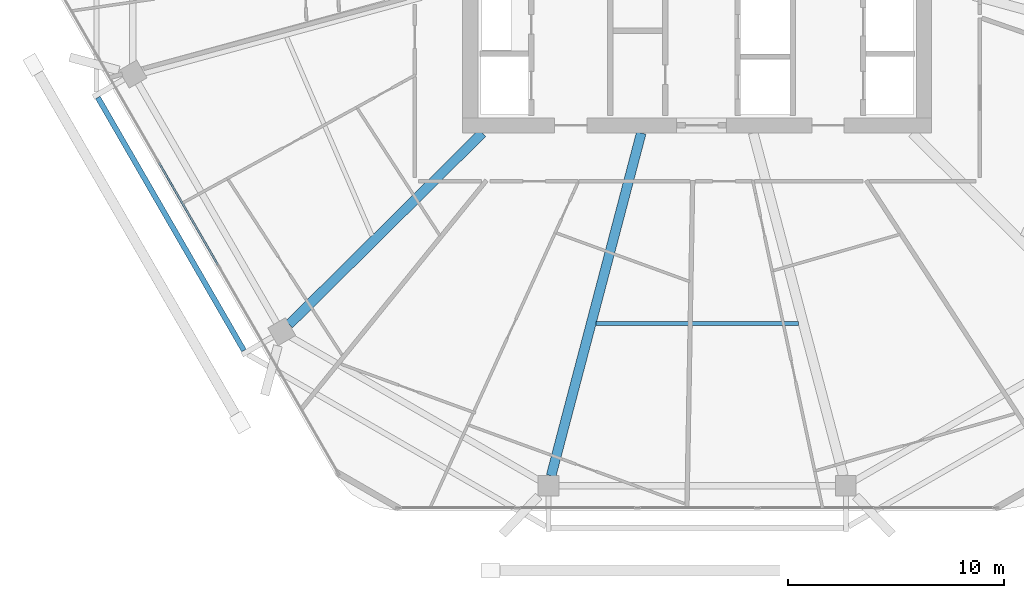
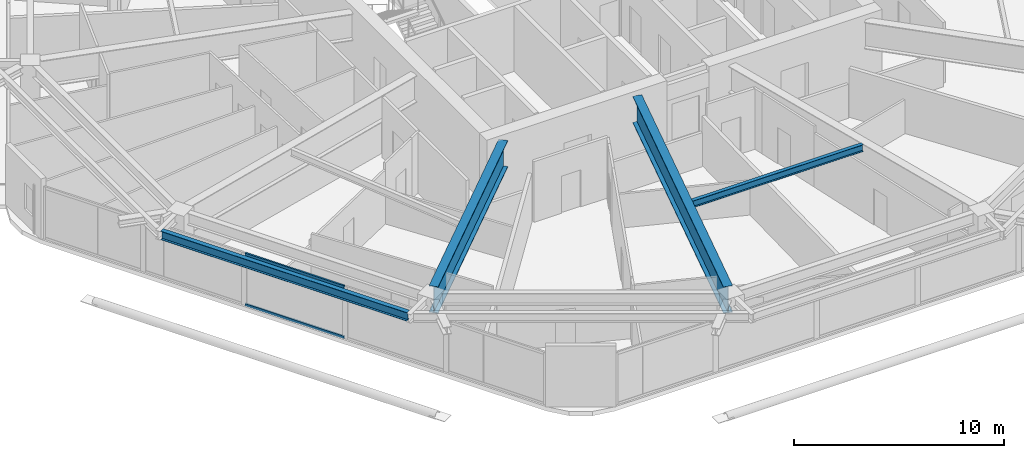
# One storey, part 5 of 28: 4 beams, 2 members, 1 element without a shape of its own.
"""IFC4 building model written with IfcOpenShell, lengths in metres."""

from ifc_helpers import new_model, si_unit, direction, frame, origin, origin_2d, place, context, subcontext, project, spatial, hollow_rectangle, i_section, extrude, material, material_profile, profile_set, type_object, element, aggregate, save


model = new_model("IFC4")

# Units and contexts
model_context = context("Model", 3, precision=1e-05, world=origin(), true_north=direction((0.0, 1.0)))
body_context = subcontext(model_context, "Body", "Model", "MODEL_VIEW")
ifc_project = project(units=[si_unit("LENGTHUNIT", "METRE"), si_unit("AREAUNIT", "SQUARE_METRE"), si_unit("VOLUMEUNIT", "CUBIC_METRE"), si_unit("PLANEANGLEUNIT", "RADIAN"), si_unit("MASSUNIT", "GRAM", prefix="KILO")], contexts=[model_context])

# Site, building, storey
site_placement = place(None, origin())
site = spatial("IfcSite", under=ifc_project, at=site_placement, CompositionType="ELEMENT")
building_placement = place(site_placement, origin())
building = spatial("IfcBuilding", under=site, at=building_placement, Name="Zuhravey Tower", CompositionType="ELEMENT")
storey_placement = place(building_placement, frame((0.0, 0.0, 222.60009765625)))
storey = spatial("IfcBuildingStorey", under=building, at=storey_placement, Name="L56", CompositionType="ELEMENT", Elevation=222.60009765625)

# Curtain wall, members
ifc_material_1 = material(Name="Thermally broken anodised aluminium", Category="aluminium")
curtain_wall_type = type_object("IfcCurtainWallType", Name="Zone 1-2 Residential Curtain Wall CW3", PredefinedType="NOTDEFINED", material=ifc_material_1)
curtain_wall_placement = place(storey_placement, origin())
curtain_wall = element("IfcCurtainWall", 1, at=curtain_wall_placement, inside=storey, type_object=curtain_wall_type, Name="L56 CW3 CW-L56-F4-1", PredefinedType="NOTDEFINED")
ifc_material_2 = material(Name="Anodised aluminium", Category="aluminium")
ifc_material_profile_1 = material_profile(ifc_material_2, hollow_rectangle(XDim=0.090087890625, YDim=0.14990234375, WallThickness=0.0048828125, at=origin_2d()), Name="ALU-RHS-90x150x5")
ifc_profile_set_1 = profile_set([ifc_material_profile_1], Name="Anodised aluminium")
member_type = type_object("IfcMemberType", Name="Curtain-Wall Transom 90x150", PredefinedType="USERDEFINED", material=ifc_profile_set_1)
member_1_placement = place(storey_placement, frame((13.822265625, 16.046630859375, 0.044921875), z_axis=(-0.499980763544, 0.866036509673, 0.0), x_axis=(-0.866036509673, -0.499980763544, 0.0)))
member_1 = element("IfcMember", 2, at=member_1_placement, type_object=member_type, Name="CW3 transom 3.1", ObjectType="TRANSOM", PredefinedType="USERDEFINED", context=body_context, shape_type="SweptSolid", body=[
    extrude(hollow_rectangle(XDim=0.090087890625, YDim=0.14990234375, WallThickness=0.0048828125, at=origin_2d()), origin(), (0.0, 0.0, 1.0), 5.454345703125),
])
member_2_placement = place(storey_placement, frame((13.822265625, 16.046630859375, 2.974853515625), z_axis=(-0.499980763544, 0.866036509673, 0.0), x_axis=(-0.866036509673, -0.499980763544, 0.0)))
member_2 = element("IfcMember", 3, at=member_2_placement, type_object=member_type, Name="CW3 transom 3.2", ObjectType="TRANSOM", PredefinedType="USERDEFINED", context=body_context, shape_type="SweptSolid", body=[
    extrude(hollow_rectangle(XDim=0.090087890625, YDim=0.14990234375, WallThickness=0.0048828125, at=origin_2d()), origin(), (0.0, 0.0, 1.0), 5.454345703125),
])
aggregate(curtain_wall, [member_1, member_2])

# Beams
ifc_material_3 = material(Name="Steel SM460", Category="steel")
ifc_material_profile_2 = material_profile(ifc_material_3, i_section(OverallWidth=0.449951171875, OverallDepth=1.550048828125, WebThickness=0.02587890625, FlangeThickness=0.0419921875, at=origin_2d()), Name="H-1550x450x26x42")
ifc_profile_set_2 = profile_set([ifc_material_profile_2], Name="Steel SM460")
beam_type_1 = type_object("IfcBeamType", Name="Heavy Setback Transfer Girder H1550x450", PredefinedType="BEAM", material=ifc_profile_set_2)
beam_1_placement = place(storey_placement, frame((26.054443359375, 22.14697265625, 2.744873046875), z_axis=(-0.710406645816, -0.703791444663, 0.0), x_axis=(0.703791444663, -0.710406645816, 0.0)))
element("IfcBeam", 4, at=beam_1_placement, inside=storey, type_object=beam_type_1, Name="L56 TG3 BM-L56-RAD-08", PredefinedType="BEAM", context=body_context, shape_type="SweptSolid", body=[
    extrude(i_section(OverallWidth=0.449951171875, OverallDepth=1.550048828125, WebThickness=0.02587890625, FlangeThickness=0.0419921875, at=origin_2d()), origin(), (0.0, 0.0, 1.0), 12.5849609375),
])
beam_2_placement = place(storey_placement, frame((33.4091796875, 22.14697265625, 2.744873046875), z_axis=(-0.254299806285, -0.967125435775, 0.0), x_axis=(0.967125435775, -0.254299806285, 0.0)))
element("IfcBeam", 5, at=beam_2_placement, inside=storey, type_object=beam_type_1, Name="L56 TG3 BM-L56-RAD-09", PredefinedType="BEAM", context=body_context, shape_type="SweptSolid", body=[
    extrude(i_section(OverallWidth=0.449951171875, OverallDepth=1.550048828125, WebThickness=0.02587890625, FlangeThickness=0.0419921875, at=origin_2d()), origin(), (0.0, 0.0, 1.0), 16.396728515625),
])
ifc_material_4 = material(Name="Steel SM355", Category="steel")
ifc_material_profile_3 = material_profile(ifc_material_4, i_section(OverallWidth=0.199951171875, OverallDepth=0.39990234375, WebThickness=0.008056640625, FlangeThickness=0.012939453125, at=origin_2d()), Name="H-400x200x8x13")
ifc_profile_set_3 = profile_set([ifc_material_profile_3], Name="Steel SM355")
beam_type_2 = type_object("IfcBeamType", Name="Secondary Floor Joist H400x200", PredefinedType="JOIST", material=ifc_profile_set_3)
beam_3_placement = place(storey_placement, frame((31.321044921875, 13.334228515625, 3.31982421875), z_axis=(1.0, 0.0, 0.0), x_axis=(0.0, 1.0, 0.0)))
element("IfcBeam", 6, at=beam_3_placement, inside=storey, type_object=beam_type_2, Name="L56 SJ2 BM-L56-SJ-09-1", PredefinedType="JOIST", context=body_context, shape_type="SweptSolid", body=[
    extrude(i_section(OverallWidth=0.199951171875, OverallDepth=0.39990234375, WebThickness=0.008056640625, FlangeThickness=0.012939453125, at=origin_2d()), origin(), (0.0, 0.0, 1.0), 9.35791015625),
])
ifc_material_profile_4 = material_profile(ifc_material_4, i_section(OverallWidth=0.25, OverallDepth=0.5, WebThickness=0.010009765625, FlangeThickness=0.01611328125, at=origin_2d()), Name="H-500x250x10x16")
ifc_profile_set_4 = profile_set([ifc_material_profile_4], Name="Steel SM355")
beam_type_3 = type_object("IfcBeamType", Name="Tray Cantilever Spandrel H500x250", PredefinedType="SPANDREL", material=ifc_profile_set_4)
beam_4_placement = place(storey_placement, frame((8.26513671875, 23.7919921875, 3.27001953125), z_axis=(0.500012189059, -0.866018366314, 0.0), x_axis=(0.866018366314, 0.500012189059, 0.0)))
element("IfcBeam", 7, at=beam_4_placement, inside=storey, type_object=beam_type_3, Name="L56 Sky-Tray Edge Spandrel TSB1-07", PredefinedType="SPANDREL", context=body_context, shape_type="SweptSolid", body=[
    extrude(i_section(OverallWidth=0.25, OverallDepth=0.5, WebThickness=0.010009765625, FlangeThickness=0.01611328125, at=origin_2d()), origin(), (0.0, 0.0, 1.0), 13.518310546875),
])

save(model, "model.ifc")
